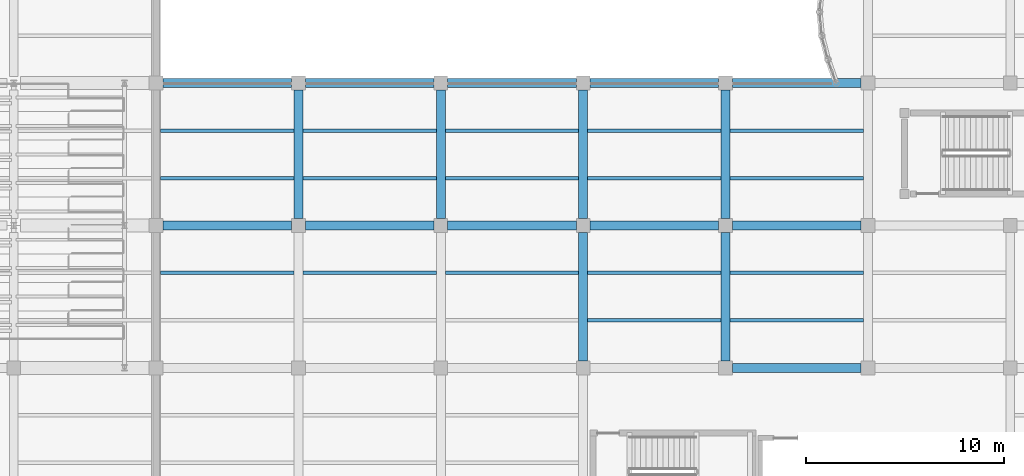
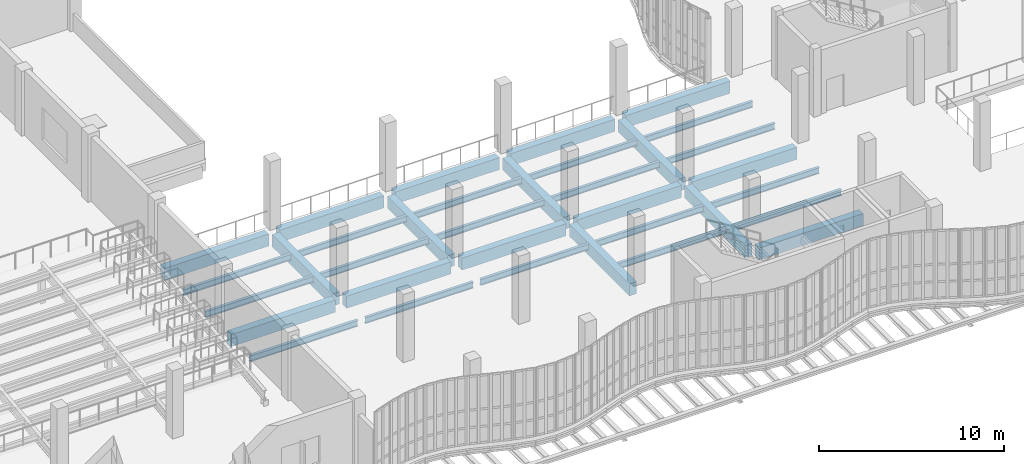
# One storey, part 18 of 108: 34 beams.
"""IFC4 building model written with IfcOpenShell, lengths in metres."""

from ifc_helpers import new_model, si_unit, direction, frame, origin, origin_2d, place, context, subcontext, project, spatial, rectangle, i_section, extrude, material, material_profile, profile_set, type_object, element, save


model = new_model("IFC4")

# Units and contexts
model_context = context("Model", 3, precision=1e-05, world=origin(), true_north=direction((0.0, 1.0)))
body_context = subcontext(model_context, "Body", "Model", "MODEL_VIEW")
ifc_project = project(units=[si_unit("LENGTHUNIT", "METRE"), si_unit("AREAUNIT", "SQUARE_METRE"), si_unit("VOLUMEUNIT", "CUBIC_METRE"), si_unit("PLANEANGLEUNIT", "RADIAN"), si_unit("MASSUNIT", "GRAM", prefix="KILO"), si_unit("THERMODYNAMICTEMPERATUREUNIT", "KELVIN"), si_unit("POWERUNIT", "WATT")], contexts=[model_context])

# Site, building, storey
site_placement = place(None, origin())
site = spatial("IfcSite", under=ifc_project, at=site_placement, CompositionType="ELEMENT")
building_placement = place(site_placement, origin())
building = spatial("IfcBuilding", under=site, at=building_placement, Name="Kaldorven Railside Theatre", CompositionType="ELEMENT")
storey_placement = place(building_placement, frame((0.0, 0.0, 5.39990234375)))
storey = spatial("IfcBuildingStorey", under=building, at=storey_placement, Name="L01", CompositionType="ELEMENT", Elevation=5.39990234375)

# Beams
ifc_material_1 = material(Name="Steel S355", Category="steel")
ifc_material_profile_1 = material_profile(ifc_material_1, i_section(OverallWidth=0.179931640625, OverallDepth=0.39990234375, WebThickness=0.008544921875, FlangeThickness=0.013427734375, at=origin_2d()), Name="IPE 400")
ifc_profile_set_1 = profile_set([ifc_material_profile_1], Name="Steel S355")
beam_type_1 = type_object("IfcBeamType", Name="BM-IPE400", PredefinedType="JOIST", material=ifc_profile_set_1)
for number, where, z_axis, x_axis, name in (
    (1, (37.02490234375, 31.199951171875, -0.5), (1.0, 0.0, 0.0), (0.0, 1.0, 0.0), "L01 Secondary Floor Joist JG-L01-036-0312"),
    (2, (44.22509765625, 31.199951171875, -0.5), (1.0, 0.0, 0.0), (0.0, 1.0, 0.0), "L01 Secondary Floor Joist JG-L01-044-0312"),
    (3, (51.425048828125, 31.199951171875, -0.5), (1.0, 0.0, 0.0), (0.0, 1.0, 0.0), "L01 Secondary Floor Joist JG-L01-051-0312"),
    (4, (58.625, 28.800048828125, -0.5), (1.0, 0.0, 0.0), (0.0, 1.0, 0.0), "L01 Secondary Floor Joist JG-L01-058-0288"),
    (5, (58.625, 31.199951171875, -0.5), (1.0, 0.0, 0.0), (0.0, 1.0, 0.0), "L01 Secondary Floor Joist JG-L01-058-0312"),
    (6, (65.824951171875, 28.800048828125, -0.5), (1.0, 0.0, 0.0), (0.0, 1.0, 0.0), "L01 Secondary Floor Joist JG-L01-065-0288"),
    (7, (65.824951171875, 31.199951171875, -0.5), (1.0, 0.0, 0.0), (0.0, 1.0, 0.0), "L01 Secondary Floor Joist JG-L01-065-0312"),
    (8, (37.02490234375, 36.0, -0.5), (1.0, 0.0, 0.0), (0.0, 1.0, 0.0), "L01 Secondary Floor Joist JG-L01-036-0360"),
    (9, (37.02490234375, 38.39990234375, -0.5), (1.0, 0.0, 0.0), (0.0, 1.0, 0.0), "L01 Secondary Floor Joist JG-L01-036-0384"),
    (10, (44.22509765625, 36.0, -0.5), (1.0, 0.0, 0.0), (0.0, 1.0, 0.0), "L01 Secondary Floor Joist JG-L01-044-0360"),
    (11, (44.22509765625, 38.39990234375, -0.5), (1.0, 0.0, 0.0), (0.0, 1.0, 0.0), "L01 Secondary Floor Joist JG-L01-044-0384"),
    (12, (51.425048828125, 36.0, -0.5), (1.0, 0.0, 0.0), (0.0, 1.0, 0.0), "L01 Secondary Floor Joist JG-L01-051-0360"),
    (13, (51.425048828125, 38.39990234375, -0.5), (1.0, 0.0, 0.0), (0.0, 1.0, 0.0), "L01 Secondary Floor Joist JG-L01-051-0384"),
    (14, (58.625, 36.0, -0.5), (1.0, 0.0, 0.0), (0.0, 1.0, 0.0), "L01 Secondary Floor Joist JG-L01-058-0360"),
    (15, (58.625, 38.39990234375, -0.5), (1.0, 0.0, 0.0), (0.0, 1.0, 0.0), "L01 Secondary Floor Joist JG-L01-058-0384"),
    (16, (65.824951171875, 36.0, -0.5), (1.0, 0.0, 0.0), (0.0, 1.0, 0.0), "L01 Secondary Floor Joist JG-L01-065-0360"),
    (17, (65.824951171875, 38.39990234375, -0.5), (1.0, 0.0, 0.0), (0.0, 1.0, 0.0), "L01 Secondary Floor Joist JG-L01-065-0384"),
):
    element("IfcBeam", number, at=place(storey_placement, frame(where, z_axis=z_axis, x_axis=x_axis)), inside=storey, type_object=beam_type_1, Name=name, PredefinedType="JOIST", context=body_context, shape_type="SweptSolid", body=[
        extrude(i_section(OverallWidth=0.179931640625, OverallDepth=0.39990234375, WebThickness=0.008544921875, FlangeThickness=0.013427734375, at=origin_2d()), origin(), (0.0, 0.0, 1.0), 6.75),
    ])
ifc_material_2 = material(Name="Concrete C40/50", Category="concrete")
ifc_material_profile_2 = material_profile(ifc_material_2, rectangle(XDim=0.449951171875, YDim=0.800048828125, at=origin_2d()), Name="RC 450x800")
ifc_profile_set_2 = profile_set([ifc_material_profile_2], Name="Concrete C40/50")
beam_type_2 = type_object("IfcBeamType", Name="BM-RC450x800", PredefinedType="BEAM", material=ifc_profile_set_2)
for number, where, z_axis, x_axis, name in (
    (18, (58.39990234375, 26.75, -0.699951171875), (0.0, 1.0, 0.0), (-1.0, 0.0, 0.0), "L01 Girder BGY-L01-058-026-72"),
    (19, (65.949951171875, 26.39990234375, -0.699951171875), (1.0, 0.0, 0.0), (0.0, 1.0, 0.0), "L01 Girder BGX-L01-065-026"),
    (20, (65.60009765625, 26.75, -0.699951171875), (0.0, 1.0, 0.0), (-1.0, 0.0, 0.0), "L01 Girder BGY-L01-065-026-72"),
    (21, (37.14990234375, 33.60009765625, -0.699951171875), (1.0, 0.0, 0.0), (0.0, 1.0, 0.0), "L01 Girder BGX-L01-036-033"),
    (22, (44.35009765625, 33.60009765625, -0.699951171875), (1.0, 0.0, 0.0), (0.0, 1.0, 0.0), "L01 Girder BGX-L01-044-033"),
    (23, (44.0, 33.949951171875, -0.699951171875), (0.0, 1.0, 0.0), (-1.0, 0.0, 0.0), "L01 Girder BGY-L01-044-033-72"),
    (24, (51.550048828125, 33.60009765625, -0.699951171875), (1.0, 0.0, 0.0), (0.0, 1.0, 0.0), "L01 Girder BGX-L01-051-033"),
    (25, (51.199951171875, 33.949951171875, -0.699951171875), (0.0, 1.0, 0.0), (-1.0, 0.0, 0.0), "L01 Girder BGY-L01-051-033-72"),
    (26, (58.75, 33.60009765625, -0.699951171875), (1.0, 0.0, 0.0), (0.0, 1.0, 0.0), "L01 Girder BGX-L01-058-033"),
    (27, (58.39990234375, 33.949951171875, -0.699951171875), (0.0, 1.0, 0.0), (-1.0, 0.0, 0.0), "L01 Girder BGY-L01-058-033-72"),
    (28, (65.949951171875, 33.60009765625, -0.699951171875), (1.0, 0.0, 0.0), (0.0, 1.0, 0.0), "L01 Girder BGX-L01-065-033"),
    (29, (65.60009765625, 33.949951171875, -0.699951171875), (0.0, 1.0, 0.0), (-1.0, 0.0, 0.0), "L01 Girder BGY-L01-065-033-72"),
    (30, (37.14990234375, 40.800048828125, -0.699951171875), (1.0, 0.0, 0.0), (0.0, 1.0, 0.0), "L01 Girder BGX-L01-036-040"),
    (31, (44.35009765625, 40.800048828125, -0.699951171875), (1.0, 0.0, 0.0), (0.0, 1.0, 0.0), "L01 Girder BGX-L01-044-040"),
    (32, (51.550048828125, 40.800048828125, -0.699951171875), (1.0, 0.0, 0.0), (0.0, 1.0, 0.0), "L01 Girder BGX-L01-051-040"),
    (33, (58.75, 40.800048828125, -0.699951171875), (1.0, 0.0, 0.0), (0.0, 1.0, 0.0), "L01 Girder BGX-L01-058-040"),
    (34, (65.949951171875, 40.800048828125, -0.699951171875), (1.0, 0.0, 0.0), (0.0, 1.0, 0.0), "L01 Girder BGX-L01-065-040"),
):
    element("IfcBeam", number, at=place(storey_placement, frame(where, z_axis=z_axis, x_axis=x_axis)), inside=storey, type_object=beam_type_2, Name=name, PredefinedType="BEAM", context=body_context, shape_type="SweptSolid", body=[
        extrude(rectangle(XDim=0.449951171875, YDim=0.800048828125, at=origin_2d()), origin(), (0.0, 0.0, 1.0), 6.5),
    ])

save(model, "model.ifc")
